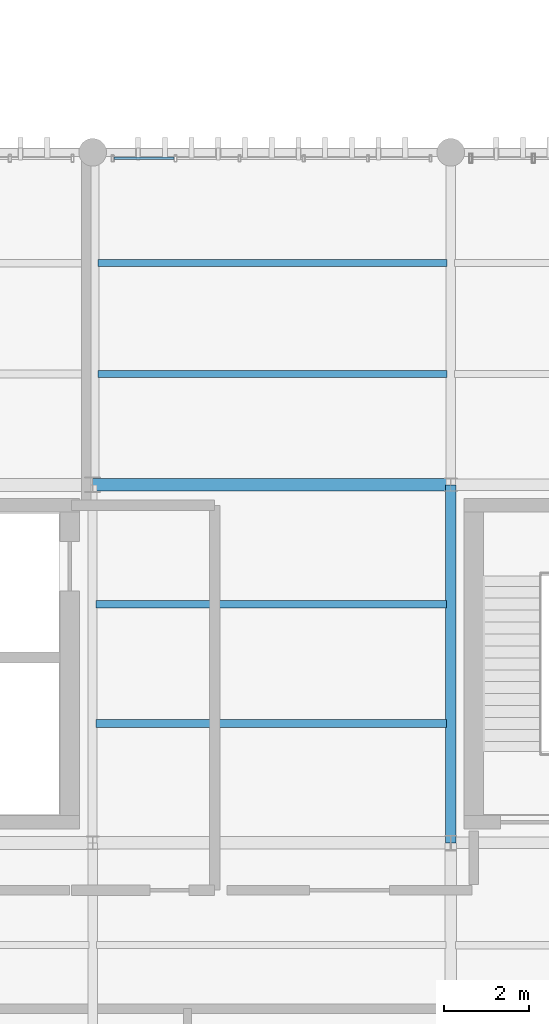
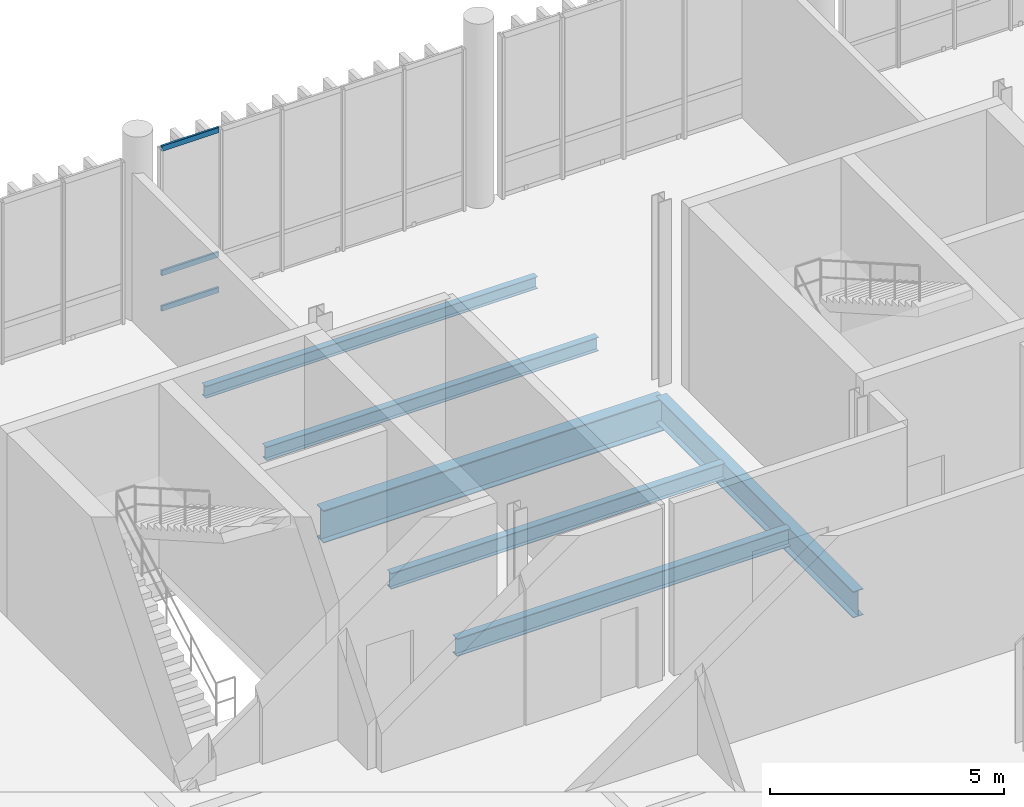
# One storey, part 17 of 86: 6 beams, 3 members, 1 element without a shape of its own.
"""IFC4 building model written with IfcOpenShell, lengths in metres."""

from ifc_helpers import new_model, si_unit, direction, frame, origin_with_axes, origin_2d_with_axis, place, context, subcontext, project, spatial, hollow_rectangle, i_section, extrude, material, material_profile, profile_set, type_object, element, aggregate, save


model = new_model("IFC4")

# Units and contexts
model_context = context("Model", 3, precision=1e-05, world=origin_with_axes(), true_north=direction((0.0, 1.0)))
body_context = subcontext(model_context, "Body", "Model", "MODEL_VIEW")
ifc_project = project(units=[si_unit("LENGTHUNIT", "METRE"), si_unit("AREAUNIT", "SQUARE_METRE"), si_unit("VOLUMEUNIT", "CUBIC_METRE"), si_unit("PLANEANGLEUNIT", "RADIAN"), si_unit("MASSUNIT", "GRAM", prefix="KILO"), si_unit("THERMODYNAMICTEMPERATUREUNIT", "KELVIN")], contexts=[model_context])

# Site, building, storey
site_placement = place(None, origin_with_axes())
site = spatial("IfcSite", under=ifc_project, at=site_placement, CompositionType="ELEMENT")
building_placement = place(site_placement, origin_with_axes())
building = spatial("IfcBuilding", under=site, at=building_placement, Name="Montbau Bow Law Courts", CompositionType="ELEMENT")
storey_placement = place(building_placement, frame((0.0, 0.0, 29.7), z_axis=(0.0, 0.0, 1.0), x_axis=(1.0, 0.0, 0.0)))
storey = spatial("IfcBuildingStorey", under=building, at=storey_placement, Name="L06", CompositionType="ELEMENT", Elevation=29.7)

# Beams
ifc_material_1 = material(Name="Steel CSA G40.21 Grade 350W (350 MPa)", Category="steel")
ifc_material_profile_1 = material_profile(ifc_material_1, i_section(OverallWidth=0.293, OverallDepth=0.846, WebThickness=0.0154, FlangeThickness=0.0244, at=origin_2d_with_axis()), Name="W840X210", Category="Main", Priority=0)
ifc_profile_set_1 = profile_set([ifc_material_profile_1], Name="Steel CSA G40.21 Grade 350W (350 MPa)")
beam_type_1 = type_object("IfcBeamType", Name="B-FLR-02", PredefinedType="BEAM", material=ifc_profile_set_1)
beam_1_placement = place(None, frame((22.2, 54.6, 28.937), z_axis=(1.0, 0.0, 0.0), x_axis=(0.0, 1.0, 0.0)))
element("IfcBeam", 1, at=beam_1_placement, inside=storey, type_object=beam_type_1, Name="BM-L06-S0683:bm2_0686", PredefinedType="BEAM", context=body_context, shape_type="SweptSolid", body=[
    extrude(i_section(OverallWidth=0.293, OverallDepth=0.846, WebThickness=0.0154, FlangeThickness=0.0244, at=origin_2d_with_axis()), origin_with_axes(), (0.0, 0.0, 1.0), 8.4),
])
ifc_material_profile_2 = material_profile(ifc_material_1, i_section(OverallWidth=0.254, OverallDepth=0.688, WebThickness=0.0131, FlangeThickness=0.0211, at=origin_2d_with_axis()), Name="W690X152", Category="Main", Priority=0)
ifc_profile_set_2 = profile_set([ifc_material_profile_2], Name="Steel CSA G40.21 Grade 350W (350 MPa)")
beam_type_2 = type_object("IfcBeamType", Name="B-FLR-04", PredefinedType="BEAM", material=ifc_profile_set_2)
beam_2_placement = place(None, frame((30.6, 46.2, 29.016), z_axis=(0.0, 1.0, 0.0), x_axis=(-1.0, 0.0, 0.0)))
element("IfcBeam", 2, at=beam_2_placement, inside=storey, type_object=beam_type_2, Name="BM-L06-S0703:bm2_0706", PredefinedType="BEAM", context=body_context, shape_type="SweptSolid", body=[
    extrude(i_section(OverallWidth=0.254, OverallDepth=0.688, WebThickness=0.0131, FlangeThickness=0.0211, at=origin_2d_with_axis()), origin_with_axes(), (0.0, 0.0, 1.0), 8.4),
])
ifc_material_profile_3 = material_profile(ifc_material_1, i_section(OverallWidth=0.191, OverallDepth=0.46, WebThickness=0.0099, FlangeThickness=0.016, at=origin_2d_with_axis()), Name="W460X82", Category="Main", Priority=0)
ifc_profile_set_3 = profile_set([ifc_material_profile_3], Name="Steel CSA G40.21 Grade 350W (350 MPa)")
beam_type_3 = type_object("IfcBeamType", Name="B-JST-01", PredefinedType="JOIST", material=ifc_profile_set_3)
beam_3_placement = place(None, frame((22.281, 49.0, 29.13), z_axis=(1.0, 0.0, 0.0), x_axis=(0.0, 1.0, 0.0)))
element("IfcBeam", 3, at=beam_3_placement, inside=storey, type_object=beam_type_3, Name="JST-L06-S0344:jst2_0344", PredefinedType="JOIST", context=body_context, shape_type="SweptSolid", body=[
    extrude(i_section(OverallWidth=0.191, OverallDepth=0.46, WebThickness=0.0099, FlangeThickness=0.016, at=origin_2d_with_axis()), origin_with_axes(), (0.0, 0.0, 1.0), 8.216),
])
ifc_material_profile_4 = material_profile(ifc_material_1, i_section(OverallWidth=0.179, OverallDepth=0.41, WebThickness=0.0088, FlangeThickness=0.0144, at=origin_2d_with_axis()), Name="W410X67", Category="Main", Priority=0)
ifc_profile_set_4 = profile_set([ifc_material_profile_4], Name="Steel CSA G40.21 Grade 350W (350 MPa)")
beam_type_4 = type_object("IfcBeamType", Name="B-JST-02", PredefinedType="JOIST", material=ifc_profile_set_4)
beam_4_placement = place(None, frame((22.281, 51.8, 29.155), z_axis=(1.0, 0.0, 0.0), x_axis=(0.0, 1.0, 0.0)))
element("IfcBeam", 4, at=beam_4_placement, inside=storey, type_object=beam_type_4, Name="JST-L06-S0345:jst2_0345", PredefinedType="JOIST", context=body_context, shape_type="SweptSolid", body=[
    extrude(i_section(OverallWidth=0.179, OverallDepth=0.41, WebThickness=0.0088, FlangeThickness=0.0144, at=origin_2d_with_axis()), origin_with_axes(), (0.0, 0.0, 1.0), 8.216),
])
ifc_material_profile_5 = material_profile(ifc_material_1, i_section(OverallWidth=0.172, OverallDepth=0.358, WebThickness=0.0079, FlangeThickness=0.0131, at=origin_2d_with_axis()), Name="W360X57", Category="Main", Priority=0)
ifc_profile_set_5 = profile_set([ifc_material_profile_5], Name="Steel CSA G40.21 Grade 350W (350 MPa)")
beam_type_5 = type_object("IfcBeamType", Name="B-JST-03", PredefinedType="JOIST", material=ifc_profile_set_5)
beam_5_placement = place(None, frame((22.329, 57.2, 29.181), z_axis=(1.0, 0.0, 0.0), x_axis=(0.0, 1.0, 0.0)))
element("IfcBeam", 5, at=beam_5_placement, inside=storey, type_object=beam_type_5, Name="JST-L06-S0346:jst2_0346", PredefinedType="JOIST", context=body_context, shape_type="SweptSolid", body=[
    extrude(i_section(OverallWidth=0.172, OverallDepth=0.358, WebThickness=0.0079, FlangeThickness=0.0131, at=origin_2d_with_axis()), origin_with_axes(), (0.0, 0.0, 1.0), 8.181),
])
ifc_material_profile_6 = material_profile(ifc_material_1, i_section(OverallWidth=0.166, OverallDepth=0.313, WebThickness=0.0066, FlangeThickness=0.0112, at=origin_2d_with_axis()), Name="W310X45", Category="Main", Priority=0)
ifc_profile_set_6 = profile_set([ifc_material_profile_6], Name="Steel CSA G40.21 Grade 350W (350 MPa)")
beam_type_6 = type_object("IfcBeamType", Name="B-JST-04", PredefinedType="JOIST", material=ifc_profile_set_6)
beam_6_placement = place(None, frame((22.329, 59.8, 29.203), z_axis=(1.0, 0.0, 0.0), x_axis=(0.0, 1.0, 0.0)))
element("IfcBeam", 6, at=beam_6_placement, inside=storey, type_object=beam_type_6, Name="JST-L06-S0347:jst2_0347", PredefinedType="JOIST", context=body_context, shape_type="SweptSolid", body=[
    extrude(i_section(OverallWidth=0.166, OverallDepth=0.313, WebThickness=0.0066, FlangeThickness=0.0112, at=origin_2d_with_axis()), origin_with_axes(), (0.0, 0.0, 1.0), 8.181),
])

# Curtain wall, members
ifc_material_2 = material(Name="Thermally Broken Extruded Aluminium AA 6063-T6", Category="aluminium")
curtain_wall_type = type_object("IfcCurtainWallType", Name="CW-TRC-02", PredefinedType="NOTDEFINED", material=ifc_material_2)
curtain_wall_placement = place(None, frame((22.64, 62.26, 29.7), z_axis=(0.0, 0.0, 1.0), x_axis=(1.0, 0.0, 0.0)))
curtain_wall = element("IfcCurtainWall", 7, at=curtain_wall_placement, inside=storey, type_object=curtain_wall_type, Name="CW-L06-101:cw_0101", PredefinedType="NOTDEFINED")
ifc_material_profile_7 = material_profile(ifc_material_2, hollow_rectangle(XDim=0.055, YDim=0.14, WallThickness=0.004, InnerFilletRadius=0.008, OuterFilletRadius=0.004, at=origin_2d_with_axis()), Name="CWT-140X55", Category="Main", Priority=0)
ifc_profile_set_7 = profile_set([ifc_material_profile_7], Name="Thermally Broken Extruded Aluminium AA 6063-T6")
member_type = type_object("IfcMemberType", Name="M-TRN-02", PredefinedType="USERDEFINED", material=ifc_profile_set_7)
member_1_placement = place(None, frame((22.702, 62.26, 29.727), z_axis=(1.0, 0.0, 0.0), x_axis=(0.0, 1.0, 0.0)))
member_1 = element("IfcMember", 8, at=member_1_placement, type_object=member_type, Name="CW-L06-101-T01-1:cw_0101_T01_1", ObjectType="TRANSOM", PredefinedType="USERDEFINED", context=body_context, shape_type="SweptSolid", body=[
    extrude(hollow_rectangle(XDim=0.055, YDim=0.14, WallThickness=0.004, InnerFilletRadius=0.008, OuterFilletRadius=0.004, at=origin_2d_with_axis()), origin_with_axes(), (0.0, 0.0, 1.0), 1.41),
])
member_2_placement = place(None, frame((22.702, 62.26, 30.65), z_axis=(1.0, 0.0, 0.0), x_axis=(0.0, 1.0, 0.0)))
member_2 = element("IfcMember", 9, at=member_2_placement, type_object=member_type, Name="CW-L06-101-T01-2:cw_0101_T01_2", ObjectType="TRANSOM", PredefinedType="USERDEFINED", context=body_context, shape_type="SweptSolid", body=[
    extrude(hollow_rectangle(XDim=0.055, YDim=0.14, WallThickness=0.004, InnerFilletRadius=0.008, OuterFilletRadius=0.004, at=origin_2d_with_axis()), origin_with_axes(), (0.0, 0.0, 1.0), 1.41),
])
member_3_placement = place(None, frame((22.702, 62.26, 33.892), z_axis=(1.0, 0.0, 0.0), x_axis=(0.0, 1.0, 0.0)))
member_3 = element("IfcMember", 10, at=member_3_placement, type_object=member_type, Name="CW-L06-101-T01-3:cw_0101_T01_3", ObjectType="TRANSOM", PredefinedType="USERDEFINED", context=body_context, shape_type="SweptSolid", body=[
    extrude(hollow_rectangle(XDim=0.055, YDim=0.14, WallThickness=0.004, InnerFilletRadius=0.008, OuterFilletRadius=0.004, at=origin_2d_with_axis()), origin_with_axes(), (0.0, 0.0, 1.0), 1.41),
])
aggregate(curtain_wall, [member_1, member_2, member_3])

save(model, "model.ifc")
